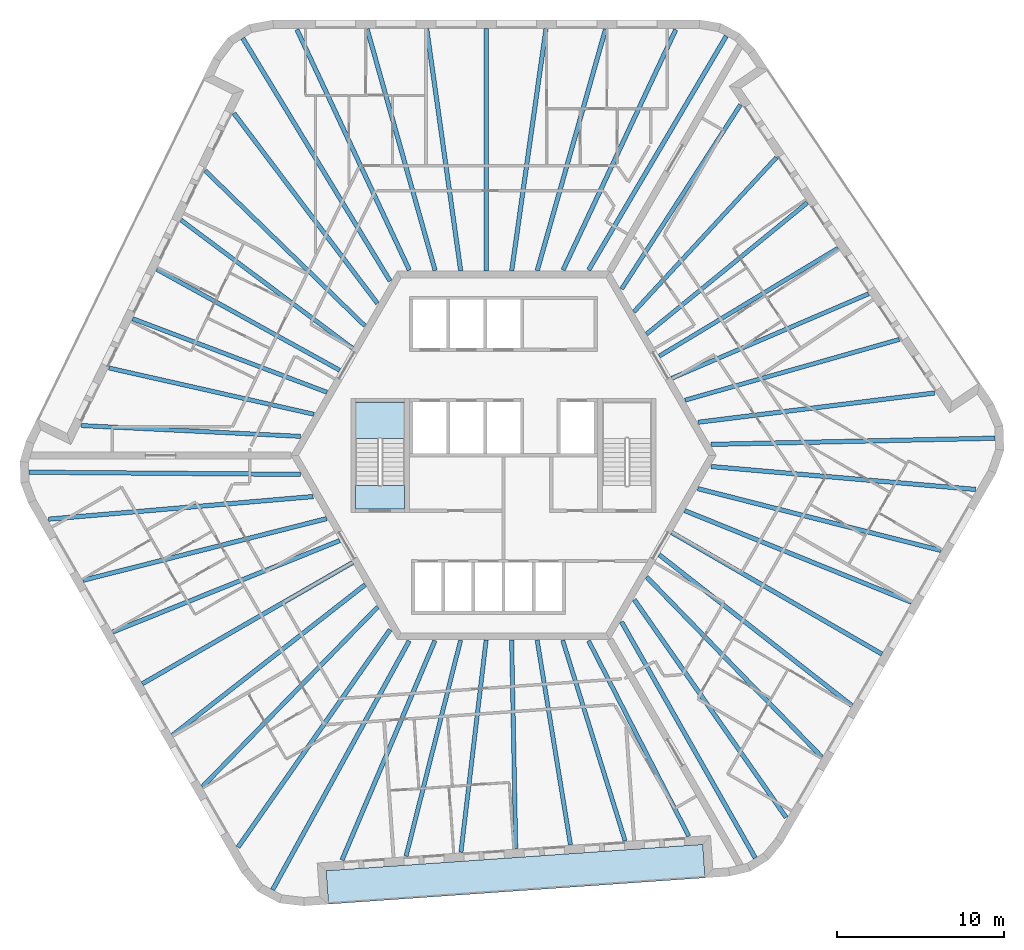
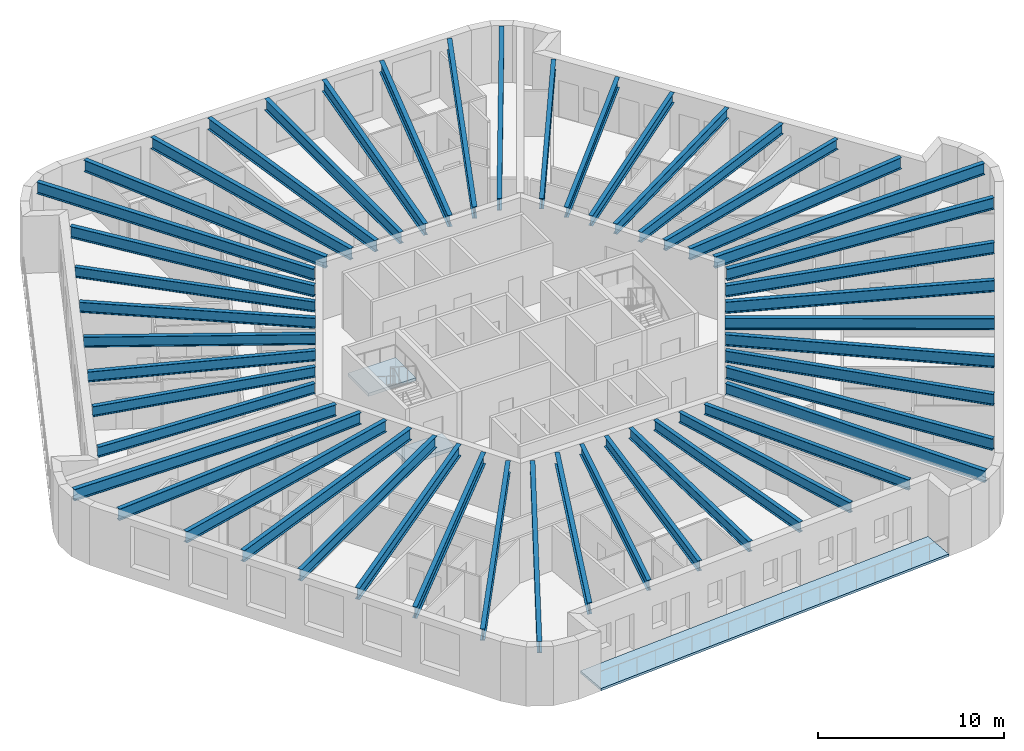
# One storey, part 1 of 12: 48 beams, 3 slabs, 1 element without a shape of its own.
"""IFC4 building model written with IfcOpenShell, lengths in metres."""

from ifc_helpers import new_model, si_unit, direction, frame, origin, origin_2d, place, context, subcontext, project, spatial, polyline, i_section, outline, extrude, material, layer, layer_set, material_profile, profile_set, type_object, element, aggregate, save


model = new_model("IFC4")

# Units and contexts
model_context = context("Model", 3, precision=1e-05, world=origin(), true_north=direction((0.0, 1.0)))
body_context = subcontext(model_context, "Body", "Model", "MODEL_VIEW")
ifc_project = project(units=[si_unit("LENGTHUNIT", "METRE"), si_unit("AREAUNIT", "SQUARE_METRE"), si_unit("VOLUMEUNIT", "CUBIC_METRE"), si_unit("PLANEANGLEUNIT", "RADIAN"), si_unit("MASSUNIT", "GRAM", prefix="KILO")], contexts=[model_context])

# Site, building, storey
site_placement = place(None, origin())
site = spatial("IfcSite", under=ifc_project, at=site_placement, CompositionType="ELEMENT")
building_placement = place(site_placement, origin())
building = spatial("IfcBuilding", under=site, at=building_placement, Name="Tarnside Tower", CompositionType="ELEMENT")
storey_placement = place(building_placement, frame((0.0, 0.0, 287.39990234375)))
storey = spatial("IfcBuildingStorey", under=building, at=storey_placement, Name="L69", CompositionType="ELEMENT", Elevation=287.39990234375)

# Beams
ifc_material_1 = material(Name="Steel S355", Category="steel")
ifc_material_profile_1 = material_profile(ifc_material_1, i_section(OverallWidth=0.2529296875, OverallDepth=0.677978515625, WebThickness=0.01171875, FlangeThickness=0.01611328125, FilletRadius=0.01513671875, at=origin_2d()), Name="UB 686x254x125")
ifc_profile_set_1 = profile_set([ifc_material_profile_1], Name="Steel S355")
beam_type_1 = type_object("IfcBeamType", Name="Floor beam UB 686x254x125", PredefinedType="BEAM", material=ifc_profile_set_1)
beam_1_placement = place(storey_placement, frame((-17.811279296875, 17.002197265625, 3.4111328125), z_axis=(0.717190986424, -0.696876666988, 0.0), x_axis=(0.696876666988, 0.717190986424, 0.0)))
element("IfcBeam", 1, at=beam_1_placement, inside=storey, type_object=beam_type_1, Name="Floor beam F2.02", PredefinedType="BEAM", context=body_context, shape_type="SweptSolid", body=[
    extrude(i_section(OverallWidth=0.2529296875, OverallDepth=0.677978515625, WebThickness=0.01171875, FlangeThickness=0.01611328125, FilletRadius=0.01513671875, at=origin_2d()), origin(), (0.0, 0.0, 1.0), 13.2919921875),
])
beam_2_placement = place(storey_placement, frame((-19.25, 14.0498046875, 3.4111328125), z_axis=(0.801006417676, -0.598655759883, 0.0), x_axis=(0.598655759883, 0.801006417676, 0.0)))
element("IfcBeam", 2, at=beam_2_placement, inside=storey, type_object=beam_type_1, Name="Floor beam F2.03", PredefinedType="BEAM", context=body_context, shape_type="SweptSolid", body=[
    extrude(i_section(OverallWidth=0.2529296875, OverallDepth=0.677978515625, WebThickness=0.01171875, FlangeThickness=0.01611328125, FilletRadius=0.01513671875, at=origin_2d()), origin(), (0.0, 0.0, 1.0), 12.764892578125),
])
beam_3_placement = place(storey_placement, frame((-20.70458984375, 11.111572265625, 3.4111328125), z_axis=(0.875666768762, -0.482915841619, 0.0), x_axis=(0.482915841619, 0.875666768762, 0.0)))
element("IfcBeam", 3, at=beam_3_placement, inside=storey, type_object=beam_type_1, Name="Floor beam F2.04", PredefinedType="BEAM", context=body_context, shape_type="SweptSolid", body=[
    extrude(i_section(OverallWidth=0.2529296875, OverallDepth=0.677978515625, WebThickness=0.01171875, FlangeThickness=0.01611328125, FilletRadius=0.01513671875, at=origin_2d()), origin(), (0.0, 0.0, 1.0), 12.468994140625),
])
beam_4_placement = place(storey_placement, frame((-22.141357421875, 8.165771484375, 3.4111328125), z_axis=(0.935116350489, -0.354340811998, 0.0), x_axis=(0.354340811998, 0.935116350489, 0.0)))
element("IfcBeam", 4, at=beam_4_placement, inside=storey, type_object=beam_type_1, Name="Floor beam F2.05", PredefinedType="BEAM", context=body_context, shape_type="SweptSolid", body=[
    extrude(i_section(OverallWidth=0.2529296875, OverallDepth=0.677978515625, WebThickness=0.01171875, FlangeThickness=0.01611328125, FilletRadius=0.01513671875, at=origin_2d()), origin(), (0.0, 0.0, 1.0), 12.399169921875),
])
beam_5_placement = place(storey_placement, frame((-23.556884765625, 5.2197265625, 3.4111328125), z_axis=(0.975445185376, -0.220242344534, 0.0), x_axis=(0.220242344534, 0.975445185376, 0.0)))
element("IfcBeam", 5, at=beam_5_placement, inside=storey, type_object=beam_type_1, Name="Floor beam F2.06", PredefinedType="BEAM", context=body_context, shape_type="SweptSolid", body=[
    extrude(i_section(OverallWidth=0.2529296875, OverallDepth=0.677978515625, WebThickness=0.01171875, FlangeThickness=0.01611328125, FilletRadius=0.01513671875, at=origin_2d()), origin(), (0.0, 0.0, 1.0), 12.538330078125),
])
beam_6_placement = place(storey_placement, frame((-25.214599609375, 1.7841796875, 3.4111328125), z_axis=(0.998783137237, -0.049317793651, 0.0), x_axis=(0.049317793651, 0.998783137237, 0.0)))
element("IfcBeam", 6, at=beam_6_placement, inside=storey, type_object=beam_type_1, Name="Floor beam F2.07", PredefinedType="BEAM", context=body_context, shape_type="SweptSolid", body=[
    extrude(i_section(OverallWidth=0.2529296875, OverallDepth=0.677978515625, WebThickness=0.01171875, FlangeThickness=0.01611328125, FilletRadius=0.01513671875, at=origin_2d()), origin(), (0.0, 0.0, 1.0), 13.103515625),
])
beam_7_placement = place(storey_placement, frame((-5.818603515625, -23.92626953125, 3.4111328125), z_axis=(0.244907502604, 0.969546448175, 0.0), x_axis=(-0.969546448175, 0.244907502604, 0.0)))
element("IfcBeam", 7, at=beam_7_placement, inside=storey, type_object=beam_type_1, Name="Floor beam F4.02", PredefinedType="BEAM", context=body_context, shape_type="SweptSolid", body=[
    extrude(i_section(OverallWidth=0.2529296875, OverallDepth=0.677978515625, WebThickness=0.01171875, FlangeThickness=0.01611328125, FilletRadius=0.01513671875, at=origin_2d()), origin(), (0.0, 0.0, 1.0), 13.292236328125),
])
beam_8_placement = place(storey_placement, frame((-2.54248046875, -23.69580078125, 3.4111328125), z_axis=(0.117949762105, 0.993019563563, 0.0), x_axis=(-0.993019563563, 0.117949762105, 0.0)))
element("IfcBeam", 8, at=beam_8_placement, inside=storey, type_object=beam_type_1, Name="Floor beam F4.03", PredefinedType="BEAM", context=body_context, shape_type="SweptSolid", body=[
    extrude(i_section(OverallWidth=0.2529296875, OverallDepth=0.677978515625, WebThickness=0.01171875, FlangeThickness=0.01611328125, FilletRadius=0.01513671875, at=origin_2d()), origin(), (0.0, 0.0, 1.0), 12.764892578125),
])
beam_9_placement = place(storey_placement, frame((0.7294921875, -23.486328125, 3.4111328125), z_axis=(-0.019619426101, 0.999807520536, 0.0), x_axis=(-0.999807520536, -0.019619426101, 0.0)))
element("IfcBeam", 9, at=beam_9_placement, inside=storey, type_object=beam_type_1, Name="Floor beam F4.04", PredefinedType="BEAM", context=body_context, shape_type="SweptSolid", body=[
    extrude(i_section(OverallWidth=0.2529296875, OverallDepth=0.677978515625, WebThickness=0.01171875, FlangeThickness=0.01611328125, FilletRadius=0.01513671875, at=origin_2d()), origin(), (0.0, 0.0, 1.0), 12.46875),
])
beam_10_placement = place(storey_placement, frame((3.9990234375, -23.2578125, 3.4111328125), z_axis=(-0.160690769029, 0.987004800773, 0.0), x_axis=(-0.987004800773, -0.160690769029, 0.0)))
element("IfcBeam", 10, at=beam_10_placement, inside=storey, type_object=beam_type_1, Name="Floor beam F4.05", PredefinedType="BEAM", context=body_context, shape_type="SweptSolid", body=[
    extrude(i_section(OverallWidth=0.2529296875, OverallDepth=0.677978515625, WebThickness=0.01171875, FlangeThickness=0.01611328125, FilletRadius=0.01513671875, at=origin_2d()), origin(), (0.0, 0.0, 1.0), 12.399169921875),
])
beam_11_placement = place(storey_placement, frame((7.258056640625, -23.0107421875, 3.4111328125), z_axis=(-0.296997512057, 0.954878252885, 0.0), x_axis=(-0.954878252885, -0.296997512057, 0.0)))
element("IfcBeam", 11, at=beam_11_placement, inside=storey, type_object=beam_type_1, Name="Floor beam F4.06", PredefinedType="BEAM", context=body_context, shape_type="SweptSolid", body=[
    extrude(i_section(OverallWidth=0.2529296875, OverallDepth=0.677978515625, WebThickness=0.01171875, FlangeThickness=0.01611328125, FilletRadius=0.01513671875, at=origin_2d()), origin(), (0.0, 0.0, 1.0), 12.538330078125),
])
beam_12_placement = place(storey_placement, frame((11.06201171875, -22.728515625, 3.4111328125), z_axis=(-0.456683143477, 0.889629420862, 0.0), x_axis=(-0.889629420862, -0.456683143477, 0.0)))
element("IfcBeam", 12, at=beam_12_placement, inside=storey, type_object=beam_type_1, Name="Floor beam F4.07", PredefinedType="BEAM", context=body_context, shape_type="SweptSolid", body=[
    extrude(i_section(OverallWidth=0.2529296875, OverallDepth=0.677978515625, WebThickness=0.01171875, FlangeThickness=0.01611328125, FilletRadius=0.01513671875, at=origin_2d()), origin(), (0.0, 0.0, 1.0), 13.103515625),
])
beam_13_placement = place(storey_placement, frame((23.6298828125, 6.924072265625, 3.4111328125), z_axis=(-0.962104001021, -0.272682766636, 0.0), x_axis=(0.272682766636, -0.962104001021, 0.0)))
element("IfcBeam", 13, at=beam_13_placement, inside=storey, type_object=beam_type_1, Name="Floor beam F6.02", PredefinedType="BEAM", context=body_context, shape_type="SweptSolid", body=[
    extrude(i_section(OverallWidth=0.2529296875, OverallDepth=0.677978515625, WebThickness=0.01171875, FlangeThickness=0.01611328125, FilletRadius=0.01513671875, at=origin_2d()), origin(), (0.0, 0.0, 1.0), 13.2919921875),
])
beam_14_placement = place(storey_placement, frame((21.792236328125, 9.64599609375, 3.4111328125), z_axis=(-0.918954980534, -0.394362452258, 0.0), x_axis=(0.394362452258, -0.918954980534, 0.0)))
element("IfcBeam", 14, at=beam_14_placement, inside=storey, type_object=beam_type_1, Name="Floor beam F6.03", PredefinedType="BEAM", context=body_context, shape_type="SweptSolid", body=[
    extrude(i_section(OverallWidth=0.2529296875, OverallDepth=0.677978515625, WebThickness=0.01171875, FlangeThickness=0.01611328125, FilletRadius=0.01513671875, at=origin_2d()), origin(), (0.0, 0.0, 1.0), 12.7646484375),
])
beam_15_placement = place(storey_placement, frame((19.97509765625, 12.375, 3.4111328125), z_axis=(-0.856046953876, -0.516898068055, 0.0), x_axis=(0.516898068055, -0.856046953876, 0.0)))
element("IfcBeam", 15, at=beam_15_placement, inside=storey, type_object=beam_type_1, Name="Floor beam F6.04", PredefinedType="BEAM", context=body_context, shape_type="SweptSolid", body=[
    extrude(i_section(OverallWidth=0.2529296875, OverallDepth=0.677978515625, WebThickness=0.01171875, FlangeThickness=0.01611328125, FilletRadius=0.01513671875, at=origin_2d()), origin(), (0.0, 0.0, 1.0), 12.46875),
])
beam_16_placement = place(storey_placement, frame((18.142333984375, 15.092041015625, 3.4111328125), z_axis=(-0.774438707576, -0.632648945473, 0.0), x_axis=(0.632648945473, -0.774438707576, 0.0)))
element("IfcBeam", 16, at=beam_16_placement, inside=storey, type_object=beam_type_1, Name="Floor beam F6.05", PredefinedType="BEAM", context=body_context, shape_type="SweptSolid", body=[
    extrude(i_section(OverallWidth=0.2529296875, OverallDepth=0.677978515625, WebThickness=0.01171875, FlangeThickness=0.01611328125, FilletRadius=0.01513671875, at=origin_2d()), origin(), (0.0, 0.0, 1.0), 12.39892578125),
])
beam_17_placement = place(storey_placement, frame((16.299072265625, 17.791015625, 3.4111328125), z_axis=(-0.67846123451, -0.734636204708, 0.0), x_axis=(0.734636204708, -0.67846123451, 0.0)))
element("IfcBeam", 17, at=beam_17_placement, inside=storey, type_object=beam_type_1, Name="Floor beam F6.06", PredefinedType="BEAM", context=body_context, shape_type="SweptSolid", body=[
    extrude(i_section(OverallWidth=0.2529296875, OverallDepth=0.677978515625, WebThickness=0.01171875, FlangeThickness=0.01611328125, FilletRadius=0.01513671875, at=origin_2d()), origin(), (0.0, 0.0, 1.0), 12.538330078125),
])
beam_18_placement = place(storey_placement, frame((14.152587890625, 20.9443359375, 3.4111328125), z_axis=(-0.54209970956, -0.840314170352, 0.0), x_axis=(0.840314170352, -0.54209970956, 0.0)))
element("IfcBeam", 18, at=beam_18_placement, inside=storey, type_object=beam_type_1, Name="Floor beam F6.07", PredefinedType="BEAM", context=body_context, shape_type="SweptSolid", body=[
    extrude(i_section(OverallWidth=0.2529296875, OverallDepth=0.677978515625, WebThickness=0.01171875, FlangeThickness=0.01611328125, FilletRadius=0.01513671875, at=origin_2d()), origin(), (0.0, 0.0, 1.0), 13.103759765625),
])
ifc_material_profile_2 = material_profile(ifc_material_1, i_section(OverallWidth=0.26513671875, OverallDepth=0.75390625, WebThickness=0.0126953125, FlangeThickness=0.017578125, FilletRadius=0.0166015625, at=origin_2d()), Name="UB 762x267x147")
ifc_profile_set_2 = profile_set([ifc_material_profile_2], Name="Steel S355")
beam_type_2 = type_object("IfcBeamType", Name="Floor beam UB 762x267x147", PredefinedType="BEAM", material=ifc_profile_set_2)
beam_19_placement = place(storey_placement, frame((6.093505859375, 25.46142578125, 3.373046875), z_axis=(-0.272147186115, -0.962255636039, 0.0), x_axis=(0.962255636039, -0.272147186115, 0.0)))
element("IfcBeam", 19, at=beam_19_placement, inside=storey, type_object=beam_type_2, Name="Floor beam F1.02", PredefinedType="BEAM", context=body_context, shape_type="SweptSolid", body=[
    extrude(i_section(OverallWidth=0.26513671875, OverallDepth=0.75390625, WebThickness=0.0126953125, FlangeThickness=0.017578125, FilletRadius=0.0166015625, at=origin_2d()), origin(), (0.0, 0.0, 1.0), 14.988525390625),
])
beam_20_placement = place(storey_placement, frame((2.537109375, 25.480224609375, 3.373046875), z_axis=(-0.140349428967, -0.990102034029, 0.0), x_axis=(0.990102034029, -0.140349428967, 0.0)))
element("IfcBeam", 20, at=beam_20_placement, inside=storey, type_object=beam_type_2, Name="Floor beam F1.03", PredefinedType="BEAM", context=body_context, shape_type="SweptSolid", body=[
    extrude(i_section(OverallWidth=0.26513671875, OverallDepth=0.75390625, WebThickness=0.0126953125, FlangeThickness=0.017578125, FilletRadius=0.0166015625, at=origin_2d()), origin(), (0.0, 0.0, 1.0), 14.60498046875),
])
beam_21_placement = place(storey_placement, frame((-1.02490234375, 25.5, 3.373046875), z_axis=(-0.000656653953, -0.999999784403, 0.0), x_axis=(0.999999784403, -0.000656653953, 0.0)))
element("IfcBeam", 21, at=beam_21_placement, inside=storey, type_object=beam_type_2, Name="Floor beam F1.04", PredefinedType="BEAM", context=body_context, shape_type="SweptSolid", body=[
    extrude(i_section(OverallWidth=0.26513671875, OverallDepth=0.75390625, WebThickness=0.0126953125, FlangeThickness=0.017578125, FilletRadius=0.0166015625, at=origin_2d()), origin(), (0.0, 0.0, 1.0), 14.5),
])
beam_22_placement = place(storey_placement, frame((-4.5869140625, 25.480224609375, 3.373046875), z_axis=(0.139070897001, -0.990282427193, 0.0), x_axis=(0.990282427193, 0.139070897001, 0.0)))
element("IfcBeam", 22, at=beam_22_placement, inside=storey, type_object=beam_type_2, Name="Floor beam F1.05", PredefinedType="BEAM", context=body_context, shape_type="SweptSolid", body=[
    extrude(i_section(OverallWidth=0.26513671875, OverallDepth=0.75390625, WebThickness=0.0126953125, FlangeThickness=0.017578125, FilletRadius=0.0166015625, at=origin_2d()), origin(), (0.0, 0.0, 1.0), 14.602294921875),
])
beam_23_placement = place(storey_placement, frame((-8.1435546875, 25.46142578125, 3.373046875), z_axis=(0.270985274434, -0.962583493023, 0.0), x_axis=(0.962583493023, 0.270985274434, 0.0)))
element("IfcBeam", 23, at=beam_23_placement, inside=storey, type_object=beam_type_2, Name="Floor beam F1.06", PredefinedType="BEAM", context=body_context, shape_type="SweptSolid", body=[
    extrude(i_section(OverallWidth=0.26513671875, OverallDepth=0.75390625, WebThickness=0.0126953125, FlangeThickness=0.017578125, FilletRadius=0.0166015625, at=origin_2d()), origin(), (0.0, 0.0, 1.0), 14.9833984375),
])
beam_24_placement = place(storey_placement, frame((-16.101318359375, 20.43212890625, 3.373046875), z_axis=(0.602566097863, -0.798068980543, 0.0), x_axis=(0.798068980543, 0.602566097863, 0.0)))
element("IfcBeam", 24, at=beam_24_placement, inside=storey, type_object=beam_type_2, Name="Floor beam F2.01", PredefinedType="BEAM", context=body_context, shape_type="SweptSolid", body=[
    extrude(i_section(OverallWidth=0.26513671875, OverallDepth=0.75390625, WebThickness=0.0126953125, FlangeThickness=0.017578125, FilletRadius=0.0166015625, at=origin_2d()), origin(), (0.0, 0.0, 1.0), 14.231201171875),
])
beam_25_placement = place(storey_placement, frame((-25.09716796875, -7.45361328125, 3.373046875), z_axis=(0.969413823687, 0.245431942592, 0.0), x_axis=(-0.245431942592, 0.969413823687, 0.0)))
element("IfcBeam", 25, at=beam_25_placement, inside=storey, type_object=beam_type_2, Name="Floor beam F3.02", PredefinedType="BEAM", context=body_context, shape_type="SweptSolid", body=[
    extrude(i_section(OverallWidth=0.26513671875, OverallDepth=0.75390625, WebThickness=0.0126953125, FlangeThickness=0.017578125, FilletRadius=0.0166015625, at=origin_2d()), origin(), (0.0, 0.0, 1.0), 14.98876953125),
])
beam_26_placement = place(storey_placement, frame((-23.3349609375, -10.54296875, 3.373046875), z_axis=(0.927625766949, 0.373510958998, 0.0), x_axis=(-0.373510958998, 0.927625766949, 0.0)))
element("IfcBeam", 26, at=beam_26_placement, inside=storey, type_object=beam_type_2, Name="Floor beam F3.03", PredefinedType="BEAM", context=body_context, shape_type="SweptSolid", body=[
    extrude(i_section(OverallWidth=0.26513671875, OverallDepth=0.75390625, WebThickness=0.0126953125, FlangeThickness=0.017578125, FilletRadius=0.0166015625, at=origin_2d()), origin(), (0.0, 0.0, 1.0), 14.60498046875),
])
beam_27_placement = place(storey_placement, frame((-21.5712890625, -13.6376953125, 3.373046875), z_axis=(0.866357363831, 0.499424587036, 0.0), x_axis=(-0.499424587036, 0.866357363831, 0.0)))
element("IfcBeam", 27, at=beam_27_placement, inside=storey, type_object=beam_type_2, Name="Floor beam F3.04", PredefinedType="BEAM", context=body_context, shape_type="SweptSolid", body=[
    extrude(i_section(OverallWidth=0.26513671875, OverallDepth=0.75390625, WebThickness=0.0126953125, FlangeThickness=0.017578125, FilletRadius=0.0166015625, at=origin_2d()), origin(), (0.0, 0.0, 1.0), 14.5),
])
beam_28_placement = place(storey_placement, frame((-19.77294921875, -16.71240234375, 3.373046875), z_axis=(0.788074813552, 0.615579473541, 0.0), x_axis=(-0.615579473541, 0.788074813552, 0.0)))
element("IfcBeam", 28, at=beam_28_placement, inside=storey, type_object=beam_type_2, Name="Floor beam F3.05", PredefinedType="BEAM", context=body_context, shape_type="SweptSolid", body=[
    extrude(i_section(OverallWidth=0.26513671875, OverallDepth=0.75390625, WebThickness=0.0126953125, FlangeThickness=0.017578125, FilletRadius=0.0166015625, at=origin_2d()), origin(), (0.0, 0.0, 1.0), 14.60205078125),
])
beam_29_placement = place(storey_placement, frame((-17.978515625, -19.783203125, 3.373046875), z_axis=(0.698129580508, 0.71597143017, 0.0), x_axis=(-0.71597143017, 0.698129580508, 0.0)))
element("IfcBeam", 29, at=beam_29_placement, inside=storey, type_object=beam_type_2, Name="Floor beam F3.06", PredefinedType="BEAM", context=body_context, shape_type="SweptSolid", body=[
    extrude(i_section(OverallWidth=0.26513671875, OverallDepth=0.75390625, WebThickness=0.0126953125, FlangeThickness=0.017578125, FilletRadius=0.0166015625, at=origin_2d()), origin(), (0.0, 0.0, 1.0), 14.983642578125),
])
beam_30_placement = place(storey_placement, frame((-9.64404296875, -24.160400390625, 3.373046875), z_axis=(0.389873911801, 0.920868249478, 0.0), x_axis=(-0.920868249478, 0.389873911801, 0.0)))
element("IfcBeam", 30, at=beam_30_placement, inside=storey, type_object=beam_type_2, Name="Floor beam F4.01", PredefinedType="BEAM", context=body_context, shape_type="SweptSolid", body=[
    extrude(i_section(OverallWidth=0.26513671875, OverallDepth=0.75390625, WebThickness=0.0126953125, FlangeThickness=0.017578125, FilletRadius=0.0166015625, at=origin_2d()), origin(), (0.0, 0.0, 1.0), 14.231201171875),
])
beam_31_placement = place(storey_placement, frame((19.00341796875, -18.008056640625, 3.373046875), z_axis=(-0.697249797022, 0.716828236437, 0.0), x_axis=(-0.716828236437, -0.697249797022, 0.0)))
element("IfcBeam", 31, at=beam_31_placement, inside=storey, type_object=beam_type_2, Name="Floor beam F5.02", PredefinedType="BEAM", context=body_context, shape_type="SweptSolid", body=[
    extrude(i_section(OverallWidth=0.26513671875, OverallDepth=0.75390625, WebThickness=0.0126953125, FlangeThickness=0.017578125, FilletRadius=0.0166015625, at=origin_2d()), origin(), (0.0, 0.0, 1.0), 14.98876953125),
])
beam_32_placement = place(storey_placement, frame((20.798095703125, -14.937255859375, 3.373046875), z_axis=(-0.787282014804, 0.616593082321, 0.0), x_axis=(-0.616593082321, -0.787282014804, 0.0)))
element("IfcBeam", 32, at=beam_32_placement, inside=storey, type_object=beam_type_2, Name="Floor beam F5.03", PredefinedType="BEAM", context=body_context, shape_type="SweptSolid", body=[
    extrude(i_section(OverallWidth=0.26513671875, OverallDepth=0.75390625, WebThickness=0.0126953125, FlangeThickness=0.017578125, FilletRadius=0.0166015625, at=origin_2d()), origin(), (0.0, 0.0, 1.0), 14.60498046875),
])
beam_33_placement = place(storey_placement, frame((22.59619140625, -11.8623046875, 3.373046875), z_axis=(-0.865697438889, 0.500567622106, 0.0), x_axis=(-0.500567622106, -0.865697438889, 0.0)))
element("IfcBeam", 33, at=beam_33_placement, inside=storey, type_object=beam_type_2, Name="Floor beam F5.04", PredefinedType="BEAM", context=body_context, shape_type="SweptSolid", body=[
    extrude(i_section(OverallWidth=0.26513671875, OverallDepth=0.75390625, WebThickness=0.0126953125, FlangeThickness=0.017578125, FilletRadius=0.0166015625, at=origin_2d()), origin(), (0.0, 0.0, 1.0), 14.500244140625),
])
beam_34_placement = place(storey_placement, frame((24.35986328125, -8.767578125, 3.373046875), z_axis=(-0.927145907531, 0.374700501933, 0.0), x_axis=(-0.374700501933, -0.927145907531, 0.0)))
element("IfcBeam", 34, at=beam_34_placement, inside=storey, type_object=beam_type_2, Name="Floor beam F5.05", PredefinedType="BEAM", context=body_context, shape_type="SweptSolid", body=[
    extrude(i_section(OverallWidth=0.26513671875, OverallDepth=0.75390625, WebThickness=0.0126953125, FlangeThickness=0.017578125, FilletRadius=0.0166015625, at=origin_2d()), origin(), (0.0, 0.0, 1.0), 14.60205078125),
])
beam_35_placement = place(storey_placement, frame((26.1220703125, -5.67822265625, 3.373046875), z_axis=(-0.969115089144, 0.246608888716, 0.0), x_axis=(-0.246608888716, -0.969115089144, 0.0)))
element("IfcBeam", 35, at=beam_35_placement, inside=storey, type_object=beam_type_2, Name="Floor beam F5.06", PredefinedType="BEAM", context=body_context, shape_type="SweptSolid", body=[
    extrude(i_section(OverallWidth=0.26513671875, OverallDepth=0.75390625, WebThickness=0.0126953125, FlangeThickness=0.017578125, FilletRadius=0.0166015625, at=origin_2d()), origin(), (0.0, 0.0, 1.0), 14.9833984375),
])
beam_36_placement = place(storey_placement, frame((25.745361328125, 3.72802734375, 3.373046875), z_axis=(-0.992433598491, -0.122782541866, 0.0), x_axis=(0.122782541866, -0.992433598491, 0.0)))
element("IfcBeam", 36, at=beam_36_placement, inside=storey, type_object=beam_type_2, Name="Floor beam F6.01", PredefinedType="BEAM", context=body_context, shape_type="SweptSolid", body=[
    extrude(i_section(OverallWidth=0.26513671875, OverallDepth=0.75390625, WebThickness=0.0126953125, FlangeThickness=0.017578125, FilletRadius=0.0166015625, at=origin_2d()), origin(), (0.0, 0.0, 1.0), 14.23095703125),
])
ifc_material_profile_3 = material_profile(ifc_material_1, i_section(OverallWidth=0.2666015625, OverallDepth=0.76220703125, WebThickness=0.014404296875, FlangeThickness=0.021484375, FilletRadius=0.0166015625, at=origin_2d()), Name="UB 762x267x173")
ifc_profile_set_3 = profile_set([ifc_material_profile_3], Name="Steel S355")
beam_type_3 = type_object("IfcBeamType", Name="Floor beam UB 762x267x173", PredefinedType="BEAM", material=ifc_profile_set_3)
beam_37_placement = place(storey_placement, frame((10.285400390625, 25.427490234375, 3.368896484375), z_axis=(-0.424439399801, -0.905456346765, 0.0), x_axis=(0.905456346765, -0.424439399801, 0.0)))
element("IfcBeam", 37, at=beam_37_placement, inside=storey, type_object=beam_type_3, Name="Floor beam F1.01", PredefinedType="BEAM", context=body_context, shape_type="SweptSolid", body=[
    extrude(i_section(OverallWidth=0.2666015625, OverallDepth=0.76220703125, WebThickness=0.014404296875, FlangeThickness=0.021484375, FilletRadius=0.0166015625, at=origin_2d()), origin(), (0.0, 0.0, 1.0), 15.853759765625),
])
beam_38_placement = place(storey_placement, frame((-12.335205078125, 25.427490234375, 3.368896484375), z_axis=(0.423453877267, -0.905917663934, 0.0), x_axis=(0.905917663934, 0.423453877267, 0.0)))
element("IfcBeam", 38, at=beam_38_placement, inside=storey, type_object=beam_type_3, Name="Floor beam F1.07", PredefinedType="BEAM", context=body_context, shape_type="SweptSolid", body=[
    extrude(i_section(OverallWidth=0.2666015625, OverallDepth=0.76220703125, WebThickness=0.014404296875, FlangeThickness=0.021484375, FilletRadius=0.0166015625, at=origin_2d()), origin(), (0.0, 0.0, 1.0), 15.845703125),
])
beam_39_placement = place(storey_placement, frame((-15.5703125, 24.91162109375, 3.368896484375), z_axis=(0.518716683755, -0.854946198304, 0.0), x_axis=(0.854946198304, 0.518716683755, 0.0)))
element("IfcBeam", 39, at=beam_39_placement, inside=storey, type_object=beam_type_3, Name="Floor beam C1", PredefinedType="BEAM", context=body_context, shape_type="SweptSolid", body=[
    extrude(i_section(OverallWidth=0.2666015625, OverallDepth=0.76220703125, WebThickness=0.014404296875, FlangeThickness=0.021484375, FilletRadius=0.0166015625, at=origin_2d()), origin(), (0.0, 0.0, 1.0), 16.961181640625),
])
beam_40_placement = place(storey_placement, frame((-28.3291015625, -1.0009765625, 3.368896484375), z_axis=(0.999966651082, -0.008166806173, 0.0), x_axis=(0.008166806173, 0.999966651082, 0.0)))
element("IfcBeam", 40, at=beam_40_placement, inside=storey, type_object=beam_type_3, Name="Floor beam C2", PredefinedType="BEAM", context=body_context, shape_type="SweptSolid", body=[
    extrude(i_section(OverallWidth=0.2666015625, OverallDepth=0.76220703125, WebThickness=0.014404296875, FlangeThickness=0.021484375, FilletRadius=0.0166015625, at=origin_2d()), origin(), (0.0, 0.0, 1.0), 16.20263671875),
])
beam_41_placement = place(storey_placement, frame((-27.16357421875, -3.806396484375, 3.368896484375), z_axis=(0.996367434748, 0.085158293626, 0.0), x_axis=(-0.085158293626, 0.996367434748, 0.0)))
element("IfcBeam", 41, at=beam_41_placement, inside=storey, type_object=beam_type_3, Name="Floor beam F3.01", PredefinedType="BEAM", context=body_context, shape_type="SweptSolid", body=[
    extrude(i_section(OverallWidth=0.2666015625, OverallDepth=0.76220703125, WebThickness=0.014404296875, FlangeThickness=0.021484375, FilletRadius=0.0166015625, at=origin_2d()), origin(), (0.0, 0.0, 1.0), 15.85400390625),
])
beam_42_placement = place(storey_placement, frame((-15.853271484375, -23.396484375, 3.368896484375), z_axis=(0.572816933654, 0.819683329414, 0.0), x_axis=(-0.819683329414, 0.572816933654, 0.0)))
element("IfcBeam", 42, at=beam_42_placement, inside=storey, type_object=beam_type_3, Name="Floor beam F3.07", PredefinedType="BEAM", context=body_context, shape_type="SweptSolid", body=[
    extrude(i_section(OverallWidth=0.2666015625, OverallDepth=0.76220703125, WebThickness=0.014404296875, FlangeThickness=0.021484375, FilletRadius=0.0166015625, at=origin_2d()), origin(), (0.0, 0.0, 1.0), 15.84619140625),
])
beam_43_placement = place(storey_placement, frame((-13.788818359375, -25.93994140625, 3.368896484375), z_axis=(0.481036073107, 0.876700802081, 0.0), x_axis=(-0.876700802081, 0.481036073107, 0.0)))
element("IfcBeam", 43, at=beam_43_placement, inside=storey, type_object=beam_type_3, Name="Floor beam C3", PredefinedType="BEAM", context=body_context, shape_type="SweptSolid", body=[
    extrude(i_section(OverallWidth=0.2666015625, OverallDepth=0.76220703125, WebThickness=0.014404296875, FlangeThickness=0.021484375, FilletRadius=0.0166015625, at=origin_2d()), origin(), (0.0, 0.0, 1.0), 16.961181640625),
])
beam_44_placement = place(storey_placement, frame((15.031494140625, -24.033447265625, 3.368896484375), z_axis=(-0.49290801997, 0.870081423689, 0.0), x_axis=(-0.870081423689, -0.49290801997, 0.0)))
element("IfcBeam", 44, at=beam_44_placement, inside=storey, type_object=beam_type_3, Name="Floor beam C4", PredefinedType="BEAM", context=body_context, shape_type="SweptSolid", body=[
    extrude(i_section(OverallWidth=0.2666015625, OverallDepth=0.76220703125, WebThickness=0.014404296875, FlangeThickness=0.021484375, FilletRadius=0.0166015625, at=origin_2d()), origin(), (0.0, 0.0, 1.0), 16.202880859375),
])
beam_45_placement = place(storey_placement, frame((16.87841796875, -21.62109375, 3.368896484375), z_axis=(-0.571946235641, 0.82029110902, 0.0), x_axis=(-0.82029110902, -0.571946235641, 0.0)))
element("IfcBeam", 45, at=beam_45_placement, inside=storey, type_object=beam_type_3, Name="Floor beam F5.01", PredefinedType="BEAM", context=body_context, shape_type="SweptSolid", body=[
    extrude(i_section(OverallWidth=0.2666015625, OverallDepth=0.76220703125, WebThickness=0.014404296875, FlangeThickness=0.021484375, FilletRadius=0.0166015625, at=origin_2d()), origin(), (0.0, 0.0, 1.0), 15.85400390625),
])
beam_46_placement = place(storey_placement, frame((28.1884765625, -2.03125, 3.368896484375), z_axis=(-0.996273584651, 0.086249316098, 0.0), x_axis=(-0.086249316098, -0.996273584651, 0.0)))
element("IfcBeam", 46, at=beam_46_placement, inside=storey, type_object=beam_type_3, Name="Floor beam F5.07", PredefinedType="BEAM", context=body_context, shape_type="SweptSolid", body=[
    extrude(i_section(OverallWidth=0.2666015625, OverallDepth=0.76220703125, WebThickness=0.014404296875, FlangeThickness=0.021484375, FilletRadius=0.0166015625, at=origin_2d()), origin(), (0.0, 0.0, 1.0), 15.845947265625),
])
beam_47_placement = place(storey_placement, frame((29.359130859375, 1.028564453125, 3.368896484375), z_axis=(-0.999763142455, -0.02176370807, 0.0), x_axis=(0.02176370807, -0.999763142455, 0.0)))
element("IfcBeam", 47, at=beam_47_placement, inside=storey, type_object=beam_type_3, Name="Floor beam C5", PredefinedType="BEAM", context=body_context, shape_type="SweptSolid", body=[
    extrude(i_section(OverallWidth=0.2666015625, OverallDepth=0.76220703125, WebThickness=0.014404296875, FlangeThickness=0.021484375, FilletRadius=0.0166015625, at=origin_2d()), origin(), (0.0, 0.0, 1.0), 16.961181640625),
])
beam_48_placement = place(storey_placement, frame((13.2978515625, 25.0341796875, 3.368896484375), z_axis=(-0.507080048325, -0.861898964259, 0.0), x_axis=(0.861898964259, -0.507080048325, 0.0)))
element("IfcBeam", 48, at=beam_48_placement, inside=storey, type_object=beam_type_3, Name="Floor beam C6", PredefinedType="BEAM", context=body_context, shape_type="SweptSolid", body=[
    extrude(i_section(OverallWidth=0.2666015625, OverallDepth=0.76220703125, WebThickness=0.014404296875, FlangeThickness=0.021484375, FilletRadius=0.0166015625, at=origin_2d()), origin(), (0.0, 0.0, 1.0), 16.20263671875),
])

# Slabs
ifc_material_2 = material(Name="Concrete C40/50", Category="concrete")
ifc_layer_1 = layer(ifc_material_2, 0.25)
ifc_layer_set_1 = layer_set([ifc_layer_1], Name="Core slab C40/50")
slab_type_1 = type_object("IfcSlabType", Name="Core slab C40/50", PredefinedType="FLOOR", material=ifc_layer_set_1)
slab_1_placement = place(storey_placement, frame((0.0, 0.0, -0.25)))
element("IfcSlab", 49, at=slab_1_placement, inside=storey, type_object=slab_type_1, Name="L69 core floor slab 2", PredefinedType="FLOOR", context=body_context, shape_type="SweptSolid", body=[
    extrude(outline(polyline([(-8.85009765625, -3.199951171875), (-8.85009765625, -1.800048828125), (-5.89990234375, -1.800048828125), (-5.89990234375, -3.199951171875), (-8.85009765625, -3.199951171875)])), origin(), (0.0, 0.0, 1.0), 0.25),
])
ifc_material_3 = material(Name="Timber decking", Category="wood")
ifc_layer_2 = layer(ifc_material_3, 0.0400390625)
ifc_material_4 = material(Name="Concrete C60/75 precast", Category="concrete")
ifc_layer_3 = layer(ifc_material_4, 0.110107421875)
ifc_layer_set_2 = layer_set([ifc_layer_2, ifc_layer_3], Name="Loggia deck 150")
slab_type_2 = type_object("IfcSlabType", Name="Loggia deck 150", PredefinedType="FLOOR", material=ifc_layer_set_2)
slab_2_placement = place(storey_placement, frame((0.0, 0.0, -0.14990234375)))
element("IfcSlab", 50, at=slab_2_placement, inside=storey, type_object=slab_type_2, Name="Loggia deck L69 F4", PredefinedType="FLOOR", context=body_context, shape_type="SweptSolid", body=[
    extrude(outline(polyline([(-10.593017578125, -24.79931640625), (11.896728515625, -23.226806640625), (12.036376953125, -25.221923828125), (-10.45361328125, -26.79443359375), (-10.593017578125, -24.79931640625)])), origin(), (0.0, 0.0, 1.0), 0.14990234375),
])

# Stair, slab
stair_type = type_object("IfcStairType", Name="Exit stair 1400 clear", PredefinedType="HALF_TURN_STAIR", material=ifc_material_2)
stair_placement = place(storey_placement, origin())
stair = element("IfcStair", 51, at=stair_placement, inside=storey, type_object=stair_type, Name="L69 Exit stair 2", PredefinedType="HALF_TURN_STAIR")
ifc_layer_4 = layer(ifc_material_2, 0.199951171875)
ifc_layer_set_3 = layer_set([ifc_layer_4], Name="Stair landing 200 C40/50")
slab_type_3 = type_object("IfcSlabType", Name="Stair landing 200 C40/50", PredefinedType="LANDING", material=ifc_layer_set_3)
slab_3_placement = place(storey_placement, frame((0.0, 0.0, 1.75)))
slab_3 = element("IfcSlab", 52, at=slab_3_placement, type_object=slab_type_3, Name="ST2 landing 1", PredefinedType="LANDING", context=body_context, shape_type="SweptSolid", body=[
    extrude(outline(polyline([(-5.89990234375, 1.0), (-5.89990234375, 3.199951171875), (-8.85009765625, 3.199951171875), (-8.85009765625, 1.0), (-5.89990234375, 1.0)])), origin(), (0.0, 0.0, 1.0), 0.2001953125),
])
aggregate(stair, [slab_3])

save(model, "model.ifc")
